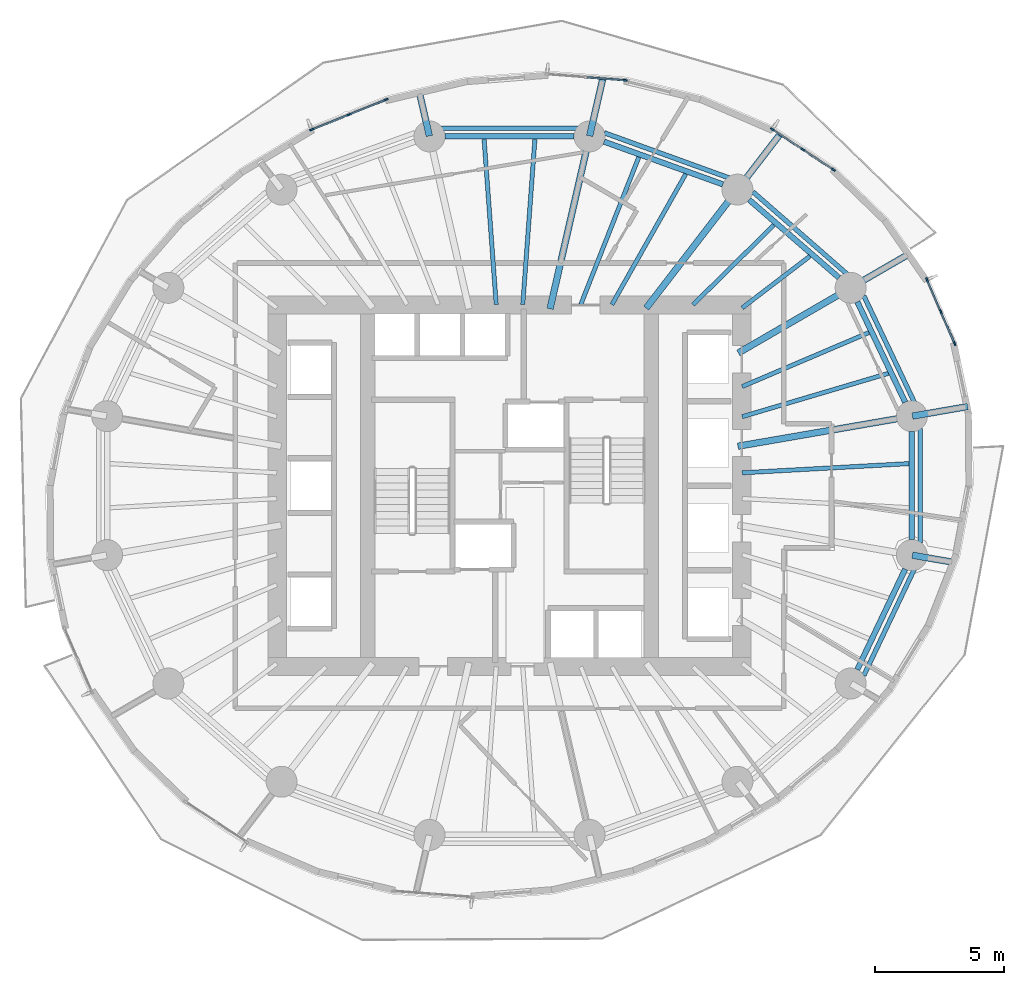
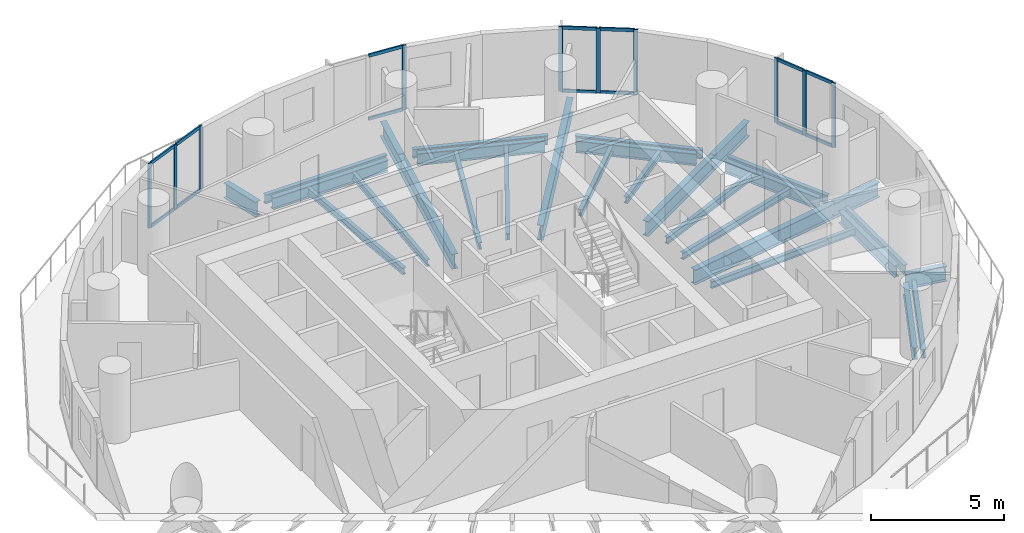
# One storey, part 4 of 14: 31 beams, 24 members, 4 elements without a shape of their own.
"""IFC4 building model written with IfcOpenShell, lengths in metres."""

from ifc_helpers import new_model, si_unit, direction, frame, origin, origin_2d, place, context, subcontext, project, spatial, rectangle, i_section, extrude, material, material_profile, profile_set, type_object, element, aggregate, save


model = new_model("IFC4")

# Units and contexts
model_context = context("Model", 3, precision=1e-05, world=origin(), true_north=direction((0.0, 1.0)))
body_context = subcontext(model_context, "Body", "Model", "MODEL_VIEW")
ifc_project = project(units=[si_unit("LENGTHUNIT", "METRE"), si_unit("AREAUNIT", "SQUARE_METRE"), si_unit("VOLUMEUNIT", "CUBIC_METRE"), si_unit("PLANEANGLEUNIT", "RADIAN"), si_unit("MASSUNIT", "GRAM", prefix="KILO")], contexts=[model_context])

# Site, building, storey
site_placement = place(None, origin())
site = spatial("IfcSite", under=ifc_project, at=site_placement, CompositionType="ELEMENT")
building_placement = place(site_placement, origin())
building = spatial("IfcBuilding", under=site, at=building_placement, Name="Veldorim Arch Residences", CompositionType="ELEMENT")
storey_placement = place(building_placement, frame((0.0, 0.0, 80.47998046875)))
storey = spatial("IfcBuildingStorey", under=building, at=storey_placement, Name="L23", CompositionType="ELEMENT", Elevation=80.47998046875)

# Beams
ifc_material_1 = material(Name="Steel S355", Category="steel")
ifc_material_profile_1 = material_profile(ifc_material_1, i_section(OverallWidth=0.2119140625, OverallDepth=0.54443359375, WebThickness=0.0126953125, FlangeThickness=0.021240234375, at=origin_2d()), Name="UB533x210x122")
ifc_profile_set_1 = profile_set([ifc_material_profile_1], Name="Steel S355")
beam_type_1 = type_object("IfcBeamType", Name="Structural Steel Beam UB533x210x122", PredefinedType="BEAM", material=ifc_profile_set_1)
beam_1_placement = place(storey_placement, frame((47.336181640625, 27.233642578125, -0.51220703125), z_axis=(-0.430720154476, 0.902485539235, 0.0), x_axis=(-0.902485539235, -0.430720154476, 0.0)))
element("IfcBeam", 1, at=beam_1_placement, inside=storey, type_object=beam_type_1, Name="L23 perimeter ring tie beam 01", PredefinedType="BEAM", context=body_context, shape_type="SweptSolid", body=[
    extrude(i_section(OverallWidth=0.2119140625, OverallDepth=0.54443359375, WebThickness=0.0126953125, FlangeThickness=0.021240234375, at=origin_2d()), origin(), (0.0, 0.0, 1.0), 4.312255859375),
])
beam_2_placement = place(storey_placement, frame((44.767333984375, 32.060302734375, -0.51220703125), z_axis=(-0.755244952556, 0.655442645576, 0.0), x_axis=(-0.655442645576, -0.755244952556, 0.0)))
element("IfcBeam", 2, at=beam_2_placement, inside=storey, type_object=beam_type_1, Name="L23 perimeter ring tie beam 02", PredefinedType="BEAM", context=body_context, shape_type="SweptSolid", body=[
    extrude(i_section(OverallWidth=0.2119140625, OverallDepth=0.54443359375, WebThickness=0.0126953125, FlangeThickness=0.021240234375, at=origin_2d()), origin(), (0.0, 0.0, 1.0), 4.608642578125),
])
beam_3_placement = place(storey_placement, frame((40.26904296875, 35.67724609375, -0.51220703125), z_axis=(-0.941041944493, 0.338289903343, 0.0), x_axis=(-0.338289903343, -0.941041944493, 0.0)))
element("IfcBeam", 3, at=beam_3_placement, inside=storey, type_object=beam_type_1, Name="L23 perimeter ring tie beam 03", PredefinedType="BEAM", context=body_context, shape_type="SweptSolid", body=[
    extrude(i_section(OverallWidth=0.2119140625, OverallDepth=0.54443359375, WebThickness=0.0126953125, FlangeThickness=0.021240234375, at=origin_2d()), origin(), (0.0, 0.0, 1.0), 4.890869140625),
])
beam_4_placement = place(storey_placement, frame((34.501953125, 37.534912109375, -0.51220703125), z_axis=(-1.0, 0.0, 0.0), x_axis=(0.0, -1.0, 0.0)))
element("IfcBeam", 4, at=beam_4_placement, inside=storey, type_object=beam_type_1, Name="L23 perimeter ring tie beam 04", PredefinedType="BEAM", context=body_context, shape_type="SweptSolid", body=[
    extrude(i_section(OverallWidth=0.2119140625, OverallDepth=0.54443359375, WebThickness=0.0126953125, FlangeThickness=0.021240234375, at=origin_2d()), origin(), (0.0, 0.0, 1.0), 5.00390625),
])
beam_5_placement = place(storey_placement, frame((45.478759765625, 16.87451171875, -0.51220703125), z_axis=(0.430720154476, 0.902485539235, 0.0), x_axis=(-0.902485539235, 0.430720154476, 0.0)))
element("IfcBeam", 5, at=beam_5_placement, inside=storey, type_object=beam_type_1, Name="L23 perimeter ring tie beam 15", PredefinedType="BEAM", context=body_context, shape_type="SweptSolid", body=[
    extrude(i_section(OverallWidth=0.2119140625, OverallDepth=0.54443359375, WebThickness=0.0126953125, FlangeThickness=0.021240234375, at=origin_2d()), origin(), (0.0, 0.0, 1.0), 4.312255859375),
])
beam_6_placement = place(storey_placement, frame((47.594482421875, 21.90771484375, -0.51220703125), z_axis=(0.0, 1.0, 0.0), x_axis=(-1.0, 0.0, 0.0)))
element("IfcBeam", 6, at=beam_6_placement, inside=storey, type_object=beam_type_1, Name="L23 perimeter ring tie beam 16", PredefinedType="BEAM", context=body_context, shape_type="SweptSolid", body=[
    extrude(i_section(OverallWidth=0.2119140625, OverallDepth=0.54443359375, WebThickness=0.0126953125, FlangeThickness=0.021240234375, at=origin_2d()), origin(), (0.0, 0.0, 1.0), 4.1845703125),
])
ifc_material_2 = material(Name="Steel S355", Category="steel")
ifc_material_profile_2 = material_profile(ifc_material_2, i_section(OverallWidth=0.25439453125, OverallDepth=0.6875, WebThickness=0.01318359375, FlangeThickness=0.02099609375, at=origin_2d()), Name="UB686x254x152")
ifc_profile_set_2 = profile_set([ifc_material_profile_2], Name="Steel S355")
beam_type_2 = type_object("IfcBeamType", Name="Structural Steel GIRDER UB686x254x152", PredefinedType="USERDEFINED", material=ifc_profile_set_2)
beam_7_placement = place(storey_placement, frame((40.852294921875, 25.5283203125, -0.583740234375), z_axis=(0.985426622718, 0.17010106184, 0.0), x_axis=(-0.17010106184, 0.985426622718, 0.0)))
element("IfcBeam", 7, at=beam_7_placement, inside=storey, type_object=beam_type_2, Name="L23 radial floor girder 01", ObjectType="GIRDER", PredefinedType="USERDEFINED", context=body_context, shape_type="SweptSolid", body=[
    extrude(i_section(OverallWidth=0.25439453125, OverallDepth=0.6875, WebThickness=0.01318359375, FlangeThickness=0.02099609375, at=origin_2d()), origin(), (0.0, 0.0, 1.0), 6.82177734375),
])
beam_8_placement = place(storey_placement, frame((47.6142578125, 26.695556640625, -0.583740234375), z_axis=(0.985415364323, 0.170166270909, 0.0), x_axis=(-0.170166270909, 0.985415364323, 0.0)))
element("IfcBeam", 8, at=beam_8_placement, inside=storey, type_object=beam_type_2, Name="L23 radial edge cantilever girder 01", ObjectType="GIRDER", PredefinedType="USERDEFINED", context=body_context, shape_type="SweptSolid", body=[
    extrude(i_section(OverallWidth=0.25439453125, OverallDepth=0.6875, WebThickness=0.01318359375, FlangeThickness=0.02099609375, at=origin_2d()), origin(), (0.0, 0.0, 1.0), 2.175048828125),
])
beam_9_placement = place(storey_placement, frame((40.8701171875, 29.14404296875, -0.583740234375), z_axis=(0.865048957682, 0.501687453314, 0.0), x_axis=(-0.501687453314, 0.865048957682, 0.0)))
element("IfcBeam", 9, at=beam_9_placement, inside=storey, type_object=beam_type_2, Name="L23 radial floor girder 02", ObjectType="GIRDER", PredefinedType="USERDEFINED", context=body_context, shape_type="SweptSolid", body=[
    extrude(i_section(OverallWidth=0.25439453125, OverallDepth=0.6875, WebThickness=0.01318359375, FlangeThickness=0.02099609375, at=origin_2d()), origin(), (0.0, 0.0, 1.0), 5.009033203125),
])
beam_10_placement = place(storey_placement, frame((45.23779296875, 31.677001953125, -0.583740234375), z_axis=(0.86504998688, 0.501685678687, 0.0), x_axis=(-0.501685678687, 0.86504998688, 0.0)))
element("IfcBeam", 10, at=beam_10_placement, inside=storey, type_object=beam_type_2, Name="L23 radial edge cantilever girder 02", ObjectType="GIRDER", PredefinedType="USERDEFINED", context=body_context, shape_type="SweptSolid", body=[
    extrude(i_section(OverallWidth=0.25439453125, OverallDepth=0.6875, WebThickness=0.01318359375, FlangeThickness=0.02099609375, at=origin_2d()), origin(), (0.0, 0.0, 1.0), 2.5927734375),
])
beam_11_placement = place(storey_placement, frame((37.297607421875, 30.881103515625, -0.583740234375), z_axis=(0.609994628196, 0.792405548676, 0.0), x_axis=(-0.792405548676, 0.609994628196, 0.0)))
element("IfcBeam", 11, at=beam_11_placement, inside=storey, type_object=beam_type_2, Name="L23 radial floor girder 03", ObjectType="GIRDER", PredefinedType="USERDEFINED", context=body_context, shape_type="SweptSolid", body=[
    extrude(i_section(OverallWidth=0.25439453125, OverallDepth=0.6875, WebThickness=0.01318359375, FlangeThickness=0.02099609375, at=origin_2d()), origin(), (0.0, 0.0, 1.0), 5.776611328125),
])
beam_12_placement = place(storey_placement, frame((40.845703125, 35.489990234375, -0.583740234375), z_axis=(0.609966828657, 0.792426948014, 0.0), x_axis=(-0.792426948014, 0.609966828657, 0.0)))
element("IfcBeam", 12, at=beam_12_placement, inside=storey, type_object=beam_type_2, Name="L23 radial edge cantilever girder 03", ObjectType="GIRDER", PredefinedType="USERDEFINED", context=body_context, shape_type="SweptSolid", body=[
    extrude(i_section(OverallWidth=0.25439453125, OverallDepth=0.6875, WebThickness=0.01318359375, FlangeThickness=0.02099609375, at=origin_2d()), origin(), (0.0, 0.0, 1.0), 2.672119140625),
])
beam_13_placement = place(storey_placement, frame((33.57080078125, 30.853759765625, -0.583740234375), z_axis=(0.223374742148, 0.97473264261, 0.0), x_axis=(-0.97473264261, 0.223374742148, 0.0)))
element("IfcBeam", 13, at=beam_13_placement, inside=storey, type_object=beam_type_2, Name="L23 radial floor girder 04", ObjectType="GIRDER", PredefinedType="USERDEFINED", context=body_context, shape_type="SweptSolid", body=[
    extrude(i_section(OverallWidth=0.25439453125, OverallDepth=0.6875, WebThickness=0.01318359375, FlangeThickness=0.02099609375, at=origin_2d()), origin(), (0.0, 0.0, 1.0), 6.834228515625),
])
beam_14_placement = place(storey_placement, frame((35.1064453125, 37.55419921875, -0.583740234375), z_axis=(0.223344244507, 0.974739631104, 0.0), x_axis=(-0.974739631104, 0.223344244507, 0.0)))
element("IfcBeam", 14, at=beam_14_placement, inside=storey, type_object=beam_type_2, Name="L23 radial edge cantilever girder 04", ObjectType="GIRDER", PredefinedType="USERDEFINED", context=body_context, shape_type="SweptSolid", body=[
    extrude(i_section(OverallWidth=0.25439453125, OverallDepth=0.6875, WebThickness=0.01318359375, FlangeThickness=0.02099609375, at=origin_2d()), origin(), (0.0, 0.0, 1.0), 2.271484375),
])
beam_15_placement = place(storey_placement, frame((28.8935546875, 37.55419921875, -0.583740234375), z_axis=(-0.223279477519, 0.974754469043, 0.0), x_axis=(-0.974754469043, -0.223279477519, 0.0)))
element("IfcBeam", 15, at=beam_15_placement, inside=storey, type_object=beam_type_2, Name="L23 radial edge cantilever girder 05", ObjectType="GIRDER", PredefinedType="USERDEFINED", context=body_context, shape_type="SweptSolid", body=[
    extrude(i_section(OverallWidth=0.25439453125, OverallDepth=0.6875, WebThickness=0.01318359375, FlangeThickness=0.02099609375, at=origin_2d()), origin(), (0.0, 0.0, 1.0), 1.74951171875),
])
beam_16_placement = place(storey_placement, frame((47.6142578125, 21.304443359375, -0.583740234375), z_axis=(0.985419516266, -0.170142225688, 0.0), x_axis=(0.170142225688, 0.985419516266, 0.0)))
element("IfcBeam", 16, at=beam_16_placement, inside=storey, type_object=beam_type_2, Name="L23 radial edge cantilever girder 16", ObjectType="GIRDER", PredefinedType="USERDEFINED", context=body_context, shape_type="SweptSolid", body=[
    extrude(i_section(OverallWidth=0.25439453125, OverallDepth=0.6875, WebThickness=0.01318359375, FlangeThickness=0.02099609375, at=origin_2d()), origin(), (0.0, 0.0, 1.0), 1.633056640625),
])
ifc_material_3 = material(Name="Steel S355", Category="steel")
ifc_material_profile_3 = material_profile(ifc_material_3, i_section(OverallWidth=0.165771484375, OverallDepth=0.306640625, WebThickness=0.006591796875, FlangeThickness=0.01171875, at=origin_2d()), Name="UB305x165x46")
ifc_profile_set_3 = profile_set([ifc_material_profile_3], Name="Steel S355")
beam_type_3 = type_object("IfcBeamType", Name="Structural Steel Joist UB305x165x46", PredefinedType="JOIST", material=ifc_profile_set_3)
beam_17_placement = place(storey_placement, frame((41.019287109375, 26.673583984375, -0.393310546875), z_axis=(0.958753061488, 0.284240333324, 0.0), x_axis=(-0.284240333324, 0.958753061488, 0.0)))
element("IfcBeam", 17, at=beam_17_placement, inside=storey, type_object=beam_type_3, Name="L23 secondary radial floor joist 01-1", PredefinedType="JOIST", context=body_context, shape_type="SweptSolid", body=[
    extrude(i_section(OverallWidth=0.165771484375, OverallDepth=0.306640625, WebThickness=0.006591796875, FlangeThickness=0.01171875, at=origin_2d()), origin(), (0.0, 0.0, 1.0), 5.906005859375),
])
beam_18_placement = place(storey_placement, frame((41.018310546875, 27.841552734375, -0.393310546875), z_axis=(0.919997395122, 0.391924473552, 0.0), x_axis=(-0.391924473552, 0.919997395122, 0.0)))
element("IfcBeam", 18, at=beam_18_placement, inside=storey, type_object=beam_type_3, Name="L23 secondary radial floor joist 01-2", PredefinedType="JOIST", context=body_context, shape_type="SweptSolid", body=[
    extrude(i_section(OverallWidth=0.165771484375, OverallDepth=0.306640625, WebThickness=0.006591796875, FlangeThickness=0.01171875, at=origin_2d()), origin(), (0.0, 0.0, 1.0), 5.334716796875),
])
beam_19_placement = place(storey_placement, frame((41.015869140625, 30.888427734375, -0.393310546875), z_axis=(0.794594763594, 0.60714014994, 0.0), x_axis=(-0.60714014994, 0.794594763594, 0.0)))
element("IfcBeam", 19, at=beam_19_placement, inside=storey, type_object=beam_type_3, Name="L23 secondary radial floor joist 02-1", PredefinedType="JOIST", context=body_context, shape_type="SweptSolid", body=[
    extrude(i_section(OverallWidth=0.165771484375, OverallDepth=0.306640625, WebThickness=0.006591796875, FlangeThickness=0.01171875, at=origin_2d()), origin(), (0.0, 0.0, 1.0), 3.30419921875),
])
beam_20_placement = place(storey_placement, frame((39.114013671875, 31.013916015625, -0.393310546875), z_axis=(0.712111629941, 0.702066255066, 0.0), x_axis=(-0.702066255066, 0.712111629941, 0.0)))
element("IfcBeam", 20, at=beam_20_placement, inside=storey, type_object=beam_type_3, Name="L23 secondary radial floor joist 02-2", PredefinedType="JOIST", context=body_context, shape_type="SweptSolid", body=[
    extrude(i_section(OverallWidth=0.165771484375, OverallDepth=0.306640625, WebThickness=0.006591796875, FlangeThickness=0.01171875, at=origin_2d()), origin(), (0.0, 0.0, 1.0), 4.39892578125),
])
beam_21_placement = place(storey_placement, frame((35.96826171875, 31.017333984375, -0.393310546875), z_axis=(0.492227411199, 0.870466642476, 0.0), x_axis=(-0.870466642476, 0.492227411199, 0.0)))
element("IfcBeam", 21, at=beam_21_placement, inside=storey, type_object=beam_type_3, Name="L23 secondary radial floor joist 03-1", PredefinedType="JOIST", context=body_context, shape_type="SweptSolid", body=[
    extrude(i_section(OverallWidth=0.165771484375, OverallDepth=0.306640625, WebThickness=0.006591796875, FlangeThickness=0.01171875, at=origin_2d()), origin(), (0.0, 0.0, 1.0), 5.81494140625),
])
beam_22_placement = place(storey_placement, frame((34.761962890625, 31.0185546875, -0.393310546875), z_axis=(0.366194870364, 0.930538186707, 0.0), x_axis=(-0.930538186707, 0.366194870364, 0.0)))
element("IfcBeam", 22, at=beam_22_placement, inside=storey, type_object=beam_type_3, Name="L23 secondary radial floor joist 03-2", PredefinedType="JOIST", context=body_context, shape_type="SweptSolid", body=[
    extrude(i_section(OverallWidth=0.165771484375, OverallDepth=0.306640625, WebThickness=0.006591796875, FlangeThickness=0.01171875, at=origin_2d()), origin(), (0.0, 0.0, 1.0), 6.1396484375),
])
for number, where, z_axis, x_axis, name in (
    (23, (32.514892578125, 31.02001953125, -0.393310546875), (0.073143494169, 0.997321427254, 0.0), (-0.997321427254, 0.073143494169, 0.0), "L23 secondary radial floor joist 04-1"),
    (24, (31.485107421875, 31.02001953125, -0.393310546875), (-0.073143494169, 0.997321427254, 0.0), (-0.997321427254, -0.073143494169, 0.0), "L23 secondary radial floor joist 04-2"),
):
    element("IfcBeam", number, at=place(storey_placement, frame(where, z_axis=z_axis, x_axis=x_axis)), inside=storey, type_object=beam_type_3, Name=name, PredefinedType="JOIST", context=body_context, shape_type="SweptSolid", body=[
        extrude(i_section(OverallWidth=0.165771484375, OverallDepth=0.306640625, WebThickness=0.006591796875, FlangeThickness=0.01171875, at=origin_2d()), origin(), (0.0, 0.0, 1.0), 6.421875),
    ])
beam_23_placement = place(storey_placement, frame((41.02001953125, 24.498291015625, -0.393310546875), z_axis=(0.99847713097, 0.055167190702, 0.0), x_axis=(-0.055167190702, 0.99847713097, 0.0)))
element("IfcBeam", 25, at=beam_23_placement, inside=storey, type_object=beam_type_3, Name="L23 secondary radial floor joist 16-2", PredefinedType="JOIST", context=body_context, shape_type="SweptSolid", body=[
    extrude(i_section(OverallWidth=0.165771484375, OverallDepth=0.306640625, WebThickness=0.006591796875, FlangeThickness=0.01171875, at=origin_2d()), origin(), (0.0, 0.0, 1.0), 6.474365234375),
])
ifc_material_4 = material(Name="Steel S355", Category="steel")
ifc_material_profile_4 = material_profile(ifc_material_4, i_section(OverallWidth=0.1787109375, OverallDepth=0.409423828125, WebThickness=0.0087890625, FlangeThickness=0.014404296875, at=origin_2d()), Name="UB406x178x67")
ifc_profile_set_4 = profile_set([ifc_material_profile_4], Name="Steel S355")
beam_type_4 = type_object("IfcBeamType", Name="Structural Steel Spandrel UB406x178x67", PredefinedType="SPANDREL", material=ifc_profile_set_4)
beam_24_placement = place(storey_placement, frame((47.693115234375, 27.225341796875, -0.464599609375), z_axis=(-0.428857472204, 0.903372165021, 0.0), x_axis=(-0.903372165021, -0.428857472204, 0.0)))
element("IfcBeam", 26, at=beam_24_placement, inside=storey, type_object=beam_type_4, Name="L23 perimeter chord spandrel beam 01", PredefinedType="SPANDREL", context=body_context, shape_type="SweptSolid", body=[
    extrude(i_section(OverallWidth=0.1787109375, OverallDepth=0.409423828125, WebThickness=0.0087890625, FlangeThickness=0.014404296875, at=origin_2d()), origin(), (0.0, 0.0, 1.0), 4.572021484375),
])
beam_25_placement = place(storey_placement, frame((45.108154296875, 32.1796875, -0.464599609375), z_axis=(-0.753323239074, 0.65765043714, 0.0), x_axis=(-0.65765043714, -0.753323239074, 0.0)))
element("IfcBeam", 27, at=beam_25_placement, inside=storey, type_object=beam_type_4, Name="L23 perimeter chord spandrel beam 02", PredefinedType="SPANDREL", context=body_context, shape_type="SweptSolid", body=[
    extrude(i_section(OverallWidth=0.1787109375, OverallDepth=0.409423828125, WebThickness=0.0087890625, FlangeThickness=0.014404296875, at=origin_2d()), origin(), (0.0, 0.0, 1.0), 4.879150390625),
])
beam_26_placement = place(storey_placement, frame((40.538330078125, 35.91552734375, -0.464599609375), z_axis=(-0.940307501418, 0.340326024244, 0.0), x_axis=(-0.340326024244, -0.940307501418, 0.0)))
element("IfcBeam", 28, at=beam_26_placement, inside=storey, type_object=beam_type_4, Name="L23 perimeter chord spandrel beam 03", PredefinedType="SPANDREL", context=body_context, shape_type="SweptSolid", body=[
    extrude(i_section(OverallWidth=0.1787109375, OverallDepth=0.409423828125, WebThickness=0.0087890625, FlangeThickness=0.014404296875, at=origin_2d()), origin(), (0.0, 0.0, 1.0), 5.175048828125),
])
beam_27_placement = place(storey_placement, frame((34.647705078125, 37.8564453125, -0.464599609375), z_axis=(-1.0, 0.0, 0.0), x_axis=(0.0, -1.0, 0.0)))
element("IfcBeam", 29, at=beam_27_placement, inside=storey, type_object=beam_type_4, Name="L23 perimeter chord spandrel beam 04", PredefinedType="SPANDREL", context=body_context, shape_type="SweptSolid", body=[
    extrude(i_section(OverallWidth=0.1787109375, OverallDepth=0.409423828125, WebThickness=0.0087890625, FlangeThickness=0.014404296875, at=origin_2d()), origin(), (0.0, 0.0, 1.0), 5.29541015625),
])
beam_28_placement = place(storey_placement, frame((45.732421875, 16.64453125, -0.464599609375), z_axis=(0.428857472204, 0.903372165021, 0.0), x_axis=(-0.903372165021, 0.428857472204, 0.0)))
element("IfcBeam", 30, at=beam_28_placement, inside=storey, type_object=beam_type_4, Name="L23 perimeter chord spandrel beam 15", PredefinedType="SPANDREL", context=body_context, shape_type="SweptSolid", body=[
    extrude(i_section(OverallWidth=0.1787109375, OverallDepth=0.409423828125, WebThickness=0.0087890625, FlangeThickness=0.014404296875, at=origin_2d()), origin(), (0.0, 0.0, 1.0), 4.572021484375),
])
beam_29_placement = place(storey_placement, frame((47.919677734375, 21.77978515625, -0.464599609375), z_axis=(0.0, 1.0, 0.0), x_axis=(-1.0, 0.0, 0.0)))
element("IfcBeam", 31, at=beam_29_placement, inside=storey, type_object=beam_type_4, Name="L23 perimeter chord spandrel beam 16", PredefinedType="SPANDREL", context=body_context, shape_type="SweptSolid", body=[
    extrude(i_section(OverallWidth=0.1787109375, OverallDepth=0.409423828125, WebThickness=0.0087890625, FlangeThickness=0.014404296875, at=origin_2d()), origin(), (0.0, 0.0, 1.0), 4.4404296875),
])

# Curtain wall, members
ifc_material_5 = material(Name="Aluminium", Category="aluminium")
curtain_wall_type = type_object("IfcCurtainWallType", Name="Zone 2 Solar-Control Unitised Curtain Wall", PredefinedType="NOTDEFINED", material=ifc_material_5)
curtain_wall_1_placement = place(storey_placement, origin())
curtain_wall_1 = element("IfcCurtainWall", 32, at=curtain_wall_1_placement, inside=storey, type_object=curtain_wall_type, Name="L23 unitised curtain wall bay 01", PredefinedType="NOTDEFINED")
ifc_material_6 = material(Name="Aluminium", Category="aluminium")
ifc_material_profile_5 = material_profile(ifc_material_6, rectangle(XDim=0.06494140625, YDim=0.1650390625, at=origin_2d()), Name="ALU_MUL_65x165")
ifc_profile_set_5 = profile_set([ifc_material_profile_5], Name="Aluminium")
member_type_1 = type_object("IfcMemberType", Name="Zone 2 Solar-Control Unitised Curtain Wall Mullion 65x165", PredefinedType="MULLION", material=ifc_profile_set_5)
member_1_placement = place(storey_placement, frame((48.1796875, 31.98046875, 0.0), z_axis=(0.0, 0.0, 1.0), x_axis=(0.917796682643, 0.397050688615, 0.0)))
member_1 = element("IfcMember", 33, at=member_1_placement, type_object=member_type_1, Name="CW-Z2 mullion 1", PredefinedType="MULLION", context=body_context, shape_type="SweptSolid", body=[
    extrude(rectangle(XDim=0.06494140625, YDim=0.1650390625, at=origin_2d()), origin(), (0.0, 0.0, 1.0), 2.9599609375),
])
member_2_placement = place(storey_placement, frame((48.714111328125, 30.744873046875, 0.0), z_axis=(0.0, 0.0, 1.0), x_axis=(0.917796682643, 0.397050688615, 0.0)))
member_2 = element("IfcMember", 34, at=member_2_placement, type_object=member_type_1, Name="CW-Z2 mullion 2", PredefinedType="MULLION", context=body_context, shape_type="SweptSolid", body=[
    extrude(rectangle(XDim=0.06494140625, YDim=0.1650390625, at=origin_2d()), origin(), (0.0, 0.0, 1.0), 2.9599609375),
])
member_3_placement = place(storey_placement, frame((49.248779296875, 29.50927734375, 0.0), z_axis=(0.0, 0.0, 1.0), x_axis=(0.917796682643, 0.397050688615, 0.0)))
member_3 = element("IfcMember", 35, at=member_3_placement, type_object=member_type_1, Name="CW-Z2 mullion 3", PredefinedType="MULLION", context=body_context, shape_type="SweptSolid", body=[
    extrude(rectangle(XDim=0.06494140625, YDim=0.1650390625, at=origin_2d()), origin(), (0.0, 0.0, 1.0), 2.9599609375),
])

curtain_wall_2_placement = place(storey_placement, origin())
curtain_wall_2 = element("IfcCurtainWall", 36, at=curtain_wall_2_placement, inside=storey, type_object=curtain_wall_type, Name="L23 unitised curtain wall bay 04", PredefinedType="NOTDEFINED")
member_4_placement = place(storey_placement, frame((42.186279296875, 37.810302734375, 0.0), z_axis=(0.0, 0.0, 1.0), x_axis=(0.551503414596, 0.834172634224, 0.0)))
member_4 = element("IfcMember", 37, at=member_4_placement, type_object=member_type_1, Name="CW-Z2 mullion 1", PredefinedType="MULLION", context=body_context, shape_type="SweptSolid", body=[
    extrude(rectangle(XDim=0.06494140625, YDim=0.1650390625, at=origin_2d()), origin(), (0.0, 0.0, 1.0), 2.9599609375),
])
member_5_placement = place(storey_placement, frame((43.3681640625, 37.029052734375, 0.0), z_axis=(0.0, 0.0, 1.0), x_axis=(0.551503414596, 0.834172634224, 0.0)))
member_5 = element("IfcMember", 38, at=member_5_placement, type_object=member_type_1, Name="CW-Z2 mullion 2", PredefinedType="MULLION", context=body_context, shape_type="SweptSolid", body=[
    extrude(rectangle(XDim=0.06494140625, YDim=0.1650390625, at=origin_2d()), origin(), (0.0, 0.0, 1.0), 2.9599609375),
])
member_6_placement = place(storey_placement, frame((44.5498046875, 36.247802734375, 0.0), z_axis=(0.0, 0.0, 1.0), x_axis=(0.551503414596, 0.834172634224, 0.0)))
member_6 = element("IfcMember", 39, at=member_6_placement, type_object=member_type_1, Name="CW-Z2 mullion 3", PredefinedType="MULLION", context=body_context, shape_type="SweptSolid", body=[
    extrude(rectangle(XDim=0.06494140625, YDim=0.1650390625, at=origin_2d()), origin(), (0.0, 0.0, 1.0), 2.9599609375),
])

# Curtain wall, member
curtain_wall_3_placement = place(storey_placement, origin())
curtain_wall_3 = element("IfcCurtainWall", 40, at=curtain_wall_3_placement, inside=storey, type_object=curtain_wall_type, Name="L23 unitised curtain wall bay 07", PredefinedType="NOTDEFINED")
member_7_placement = place(storey_placement, frame((36.486328125, 39.710205078125, 0.0), z_axis=(0.0, 0.0, 1.0), x_axis=(0.076696498885, 0.997054485502, 0.0)))
member_7 = element("IfcMember", 41, at=member_7_placement, type_object=member_type_1, Name="CW-Z2 mullion 3", PredefinedType="MULLION", context=body_context, shape_type="SweptSolid", body=[
    extrude(rectangle(XDim=0.06494140625, YDim=0.1650390625, at=origin_2d()), origin(), (0.0, 0.0, 1.0), 2.9599609375),
])

# Curtain wall, members
curtain_wall_4_placement = place(storey_placement, origin())
curtain_wall_4 = element("IfcCurtainWall", 42, at=curtain_wall_4_placement, inside=storey, type_object=curtain_wall_type, Name="L23 unitised curtain wall bay 10", PredefinedType="NOTDEFINED")
member_8_placement = place(storey_placement, frame((24.3369140625, 37.79931640625, 0.0), z_axis=(0.0, 0.0, 1.0), x_axis=(-0.374353496038, 0.927286072366, 0.0)))
member_8 = element("IfcMember", 43, at=member_8_placement, type_object=member_type_1, Name="CW-Z2 mullion 1", PredefinedType="MULLION", context=body_context, shape_type="SweptSolid", body=[
    extrude(rectangle(XDim=0.06494140625, YDim=0.1650390625, at=origin_2d()), origin(), (0.0, 0.0, 1.0), 2.9599609375),
])
member_9_placement = place(storey_placement, frame((25.776123046875, 38.38037109375, 0.0), z_axis=(0.0, 0.0, 1.0), x_axis=(-0.374353496038, 0.927286072366, 0.0)))
member_9 = element("IfcMember", 44, at=member_9_placement, type_object=member_type_1, Name="CW-Z2 mullion 2", PredefinedType="MULLION", context=body_context, shape_type="SweptSolid", body=[
    extrude(rectangle(XDim=0.06494140625, YDim=0.1650390625, at=origin_2d()), origin(), (0.0, 0.0, 1.0), 2.9599609375),
])
member_10_placement = place(storey_placement, frame((27.215576171875, 38.96142578125, 0.0), z_axis=(0.0, 0.0, 1.0), x_axis=(-0.374353496038, 0.927286072366, 0.0)))
member_10 = element("IfcMember", 45, at=member_10_placement, type_object=member_type_1, Name="CW-Z2 mullion 3", PredefinedType="MULLION", context=body_context, shape_type="SweptSolid", body=[
    extrude(rectangle(XDim=0.06494140625, YDim=0.1650390625, at=origin_2d()), origin(), (0.0, 0.0, 1.0), 2.9599609375),
])

# Member
ifc_material_7 = material(Name="Aluminium", Category="aluminium")
ifc_material_profile_6 = material_profile(ifc_material_7, rectangle(XDim=0.06494140625, YDim=0.14501953125, at=origin_2d()), Name="ALU_TRN_65x145")
ifc_profile_set_6 = profile_set([ifc_material_profile_6], Name="Aluminium")
member_type_2 = type_object("IfcMemberType", Name="Zone 2 Solar-Control Unitised Curtain Wall Transom 65x145", PredefinedType="USERDEFINED", material=ifc_profile_set_6)
member_11_placement = place(storey_placement, frame((48.192626953125, 31.95068359375, 0.032470703125), z_axis=(0.396906812101, -0.917858912093, 0.0), x_axis=(0.917858912093, 0.396906812101, 0.0)))
member_11 = element("IfcMember", 46, at=member_11_placement, type_object=member_type_2, Name="CW-Z2 transom 1.1", ObjectType="TRANSOM", PredefinedType="USERDEFINED", context=body_context, shape_type="SweptSolid", body=[
    extrude(rectangle(XDim=0.06494140625, YDim=0.14501953125, at=origin_2d()), origin(), (0.0, 0.0, 1.0), 1.28125),
])

member_12_placement = place(storey_placement, frame((48.192626953125, 31.95068359375, 2.927490234375), z_axis=(0.396906812101, -0.917858912093, 0.0), x_axis=(0.917858912093, 0.396906812101, 0.0)))
member_12 = element("IfcMember", 47, at=member_12_placement, type_object=member_type_2, Name="CW-Z2 transom 1.2", ObjectType="TRANSOM", PredefinedType="USERDEFINED", context=body_context, shape_type="SweptSolid", body=[
    extrude(rectangle(XDim=0.06494140625, YDim=0.14501953125, at=origin_2d()), origin(), (0.0, 0.0, 1.0), 1.28125),
])

member_13_placement = place(storey_placement, frame((48.72705078125, 30.715087890625, 0.032470703125), z_axis=(0.397067322017, -0.91778948664, 0.0), x_axis=(0.91778948664, 0.397067322017, 0.0)))
member_13 = element("IfcMember", 48, at=member_13_placement, type_object=member_type_2, Name="CW-Z2 transom 2.1", ObjectType="TRANSOM", PredefinedType="USERDEFINED", context=body_context, shape_type="SweptSolid", body=[
    extrude(rectangle(XDim=0.06494140625, YDim=0.14501953125, at=origin_2d()), origin(), (0.0, 0.0, 1.0), 1.28125),
])

member_14_placement = place(storey_placement, frame((48.72705078125, 30.715087890625, 2.927490234375), z_axis=(0.397067322017, -0.91778948664, 0.0), x_axis=(0.91778948664, 0.397067322017, 0.0)))
member_14 = element("IfcMember", 49, at=member_14_placement, type_object=member_type_2, Name="CW-Z2 transom 2.2", ObjectType="TRANSOM", PredefinedType="USERDEFINED", context=body_context, shape_type="SweptSolid", body=[
    extrude(rectangle(XDim=0.06494140625, YDim=0.14501953125, at=origin_2d()), origin(), (0.0, 0.0, 1.0), 1.28125),
])

aggregate(curtain_wall_1, [member_1, member_2, member_3, member_11, member_12, member_13, member_14])

member_15_placement = place(storey_placement, frame((42.21337890625, 37.79248046875, 0.032470703125), z_axis=(0.834155806589, -0.551528866275, 0.0), x_axis=(0.551528866275, 0.834155806589, 0.0)))
member_15 = element("IfcMember", 50, at=member_15_placement, type_object=member_type_2, Name="CW-Z2 transom 1.1", ObjectType="TRANSOM", PredefinedType="USERDEFINED", context=body_context, shape_type="SweptSolid", body=[
    extrude(rectangle(XDim=0.06494140625, YDim=0.14501953125, at=origin_2d()), origin(), (0.0, 0.0, 1.0), 1.351806640625),
])

member_16_placement = place(storey_placement, frame((42.21337890625, 37.79248046875, 2.927490234375), z_axis=(0.834155806589, -0.551528866275, 0.0), x_axis=(0.551528866275, 0.834155806589, 0.0)))
member_16 = element("IfcMember", 51, at=member_16_placement, type_object=member_type_2, Name="CW-Z2 transom 1.2", ObjectType="TRANSOM", PredefinedType="USERDEFINED", context=body_context, shape_type="SweptSolid", body=[
    extrude(rectangle(XDim=0.06494140625, YDim=0.14501953125, at=origin_2d()), origin(), (0.0, 0.0, 1.0), 1.351806640625),
])

member_17_placement = place(storey_placement, frame((43.395263671875, 37.01123046875, 0.032470703125), z_axis=(0.834100860871, -0.551611959528, 0.0), x_axis=(0.551611959528, 0.834100860871, 0.0)))
member_17 = element("IfcMember", 52, at=member_17_placement, type_object=member_type_2, Name="CW-Z2 transom 2.1", ObjectType="TRANSOM", PredefinedType="USERDEFINED", context=body_context, shape_type="SweptSolid", body=[
    extrude(rectangle(XDim=0.06494140625, YDim=0.14501953125, at=origin_2d()), origin(), (0.0, 0.0, 1.0), 1.351806640625),
])

member_18_placement = place(storey_placement, frame((43.395263671875, 37.01123046875, 2.927490234375), z_axis=(0.834100860871, -0.551611959528, 0.0), x_axis=(0.551611959528, 0.834100860871, 0.0)))
member_18 = element("IfcMember", 53, at=member_18_placement, type_object=member_type_2, Name="CW-Z2 transom 2.2", ObjectType="TRANSOM", PredefinedType="USERDEFINED", context=body_context, shape_type="SweptSolid", body=[
    extrude(rectangle(XDim=0.06494140625, YDim=0.14501953125, at=origin_2d()), origin(), (0.0, 0.0, 1.0), 1.351806640625),
])

aggregate(curtain_wall_2, [member_4, member_5, member_6, member_15, member_16, member_17, member_18])

member_19_placement = place(storey_placement, frame((35.004638671875, 39.82421875, 0.032470703125), z_axis=(0.99704954324, -0.076760721237, 0.0), x_axis=(0.076760721237, 0.99704954324, 0.0)))
member_19 = element("IfcMember", 54, at=member_19_placement, type_object=member_type_2, Name="CW-Z2 transom 2.1", ObjectType="TRANSOM", PredefinedType="USERDEFINED", context=body_context, shape_type="SweptSolid", body=[
    extrude(rectangle(XDim=0.06494140625, YDim=0.14501953125, at=origin_2d()), origin(), (0.0, 0.0, 1.0), 1.45361328125),
])

member_20_placement = place(storey_placement, frame((35.004638671875, 39.82421875, 2.927490234375), z_axis=(0.99704954324, -0.076760721237, 0.0), x_axis=(0.076760721237, 0.99704954324, 0.0)))
member_20 = element("IfcMember", 55, at=member_20_placement, type_object=member_type_2, Name="CW-Z2 transom 2.2", ObjectType="TRANSOM", PredefinedType="USERDEFINED", context=body_context, shape_type="SweptSolid", body=[
    extrude(rectangle(XDim=0.06494140625, YDim=0.14501953125, at=origin_2d()), origin(), (0.0, 0.0, 1.0), 1.45361328125),
])

aggregate(curtain_wall_3, [member_7, member_19, member_20])

member_21_placement = place(storey_placement, frame((24.366943359375, 37.8115234375, 0.032470703125), z_axis=(0.927317450023, 0.374275763153, 0.0), x_axis=(-0.374275763153, 0.927317450023, 0.0)))
member_21 = element("IfcMember", 56, at=member_21_placement, type_object=member_type_2, Name="CW-Z2 transom 1.1", ObjectType="TRANSOM", PredefinedType="USERDEFINED", context=body_context, shape_type="SweptSolid", body=[
    extrude(rectangle(XDim=0.06494140625, YDim=0.14501953125, at=origin_2d()), origin(), (0.0, 0.0, 1.0), 1.4873046875),
])

member_22_placement = place(storey_placement, frame((24.366943359375, 37.8115234375, 2.927490234375), z_axis=(0.927317450023, 0.374275763153, 0.0), x_axis=(-0.374275763153, 0.927317450023, 0.0)))
member_22 = element("IfcMember", 57, at=member_22_placement, type_object=member_type_2, Name="CW-Z2 transom 1.2", ObjectType="TRANSOM", PredefinedType="USERDEFINED", context=body_context, shape_type="SweptSolid", body=[
    extrude(rectangle(XDim=0.06494140625, YDim=0.14501953125, at=origin_2d()), origin(), (0.0, 0.0, 1.0), 1.4873046875),
])

member_23_placement = place(storey_placement, frame((25.806396484375, 38.392578125, 0.032470703125), z_axis=(0.927317450023, 0.374275763153, 0.0), x_axis=(-0.374275763153, 0.927317450023, 0.0)))
member_23 = element("IfcMember", 58, at=member_23_placement, type_object=member_type_2, Name="CW-Z2 transom 2.1", ObjectType="TRANSOM", PredefinedType="USERDEFINED", context=body_context, shape_type="SweptSolid", body=[
    extrude(rectangle(XDim=0.06494140625, YDim=0.14501953125, at=origin_2d()), origin(), (0.0, 0.0, 1.0), 1.4873046875),
])

member_24_placement = place(storey_placement, frame((25.806396484375, 38.392578125, 2.927490234375), z_axis=(0.927317450023, 0.374275763153, 0.0), x_axis=(-0.374275763153, 0.927317450023, 0.0)))
member_24 = element("IfcMember", 59, at=member_24_placement, type_object=member_type_2, Name="CW-Z2 transom 2.2", ObjectType="TRANSOM", PredefinedType="USERDEFINED", context=body_context, shape_type="SweptSolid", body=[
    extrude(rectangle(XDim=0.06494140625, YDim=0.14501953125, at=origin_2d()), origin(), (0.0, 0.0, 1.0), 1.4873046875),
])

aggregate(curtain_wall_4, [member_8, member_9, member_10, member_21, member_22, member_23, member_24])

save(model, "model.ifc")
